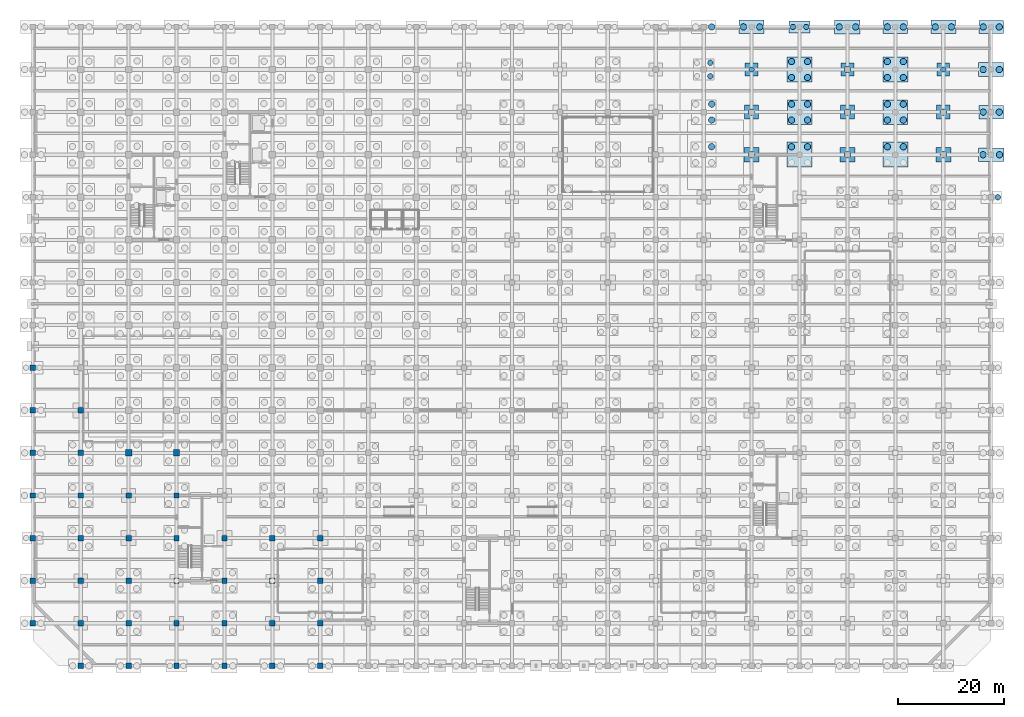
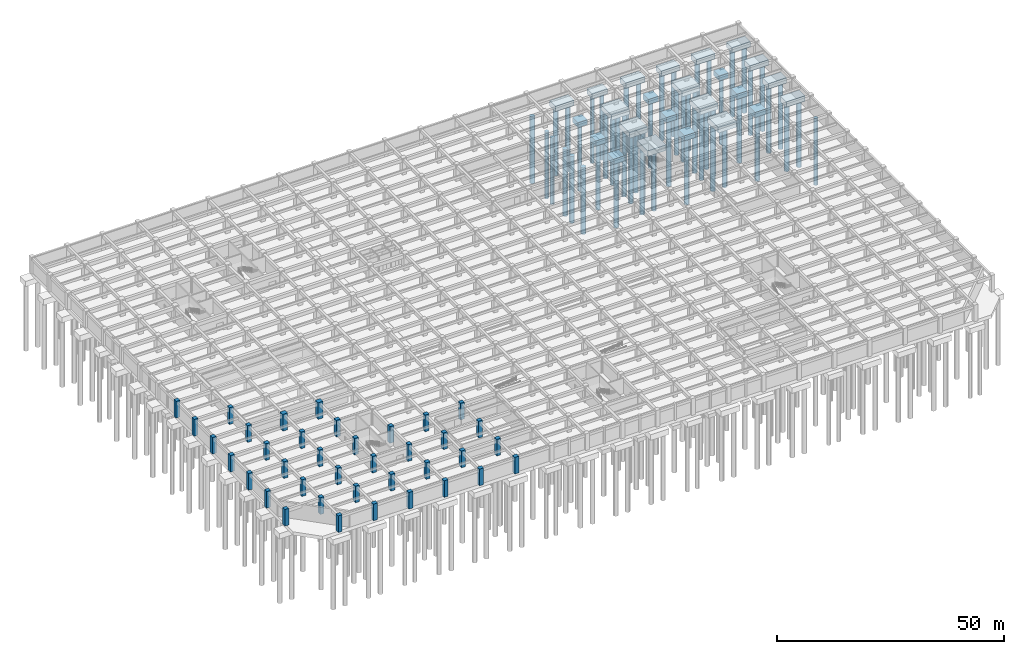
# One storey, part 8 of 31: 54 piles, 38 columns, 24 footings.
"""IFC4 building model written with IfcOpenShell, lengths in metres."""

from ifc_helpers import new_model, si_unit, direction, frame, origin, origin_2d, place, context, subcontext, project, spatial, rectangle, circle, extrude, material, layer, layer_set, material_profile, profile_set, type_object, element, save


model = new_model("IFC4")

# Units and contexts
model_context = context("Model", 3, precision=1e-05, world=origin(), true_north=direction((0.0, 1.0)))
body_context = subcontext(model_context, "Body", "Model", "MODEL_VIEW")
ifc_project = project(units=[si_unit("LENGTHUNIT", "METRE"), si_unit("AREAUNIT", "SQUARE_METRE"), si_unit("VOLUMEUNIT", "CUBIC_METRE"), si_unit("PLANEANGLEUNIT", "RADIAN"), si_unit("MASSUNIT", "GRAM", prefix="KILO")], contexts=[model_context])

# Site, building, storey
site_placement = place(None, origin())
site = spatial("IfcSite", under=ifc_project, at=site_placement, CompositionType="ELEMENT")
building_placement = place(site_placement, origin())
building = spatial("IfcBuilding", under=site, at=building_placement, Name="Zaverband Oceanarium and Marine Research Institute", CompositionType="ELEMENT")
storey_placement = place(building_placement, frame((0.0, 0.0, -9.0)))
storey = spatial("IfcBuildingStorey", under=building, at=storey_placement, Name="B2", CompositionType="ELEMENT", Elevation=-9.0)

# Footings
ifc_material = material(Name="Concrete C50/60", Category="concrete")
ifc_layer_1 = layer(ifc_material, 1.39990234375, Name="Concrete C50/60")
ifc_layer_set_1 = layer_set([ifc_layer_1], Name="Concrete C50/60")
footing_type_1 = type_object("IfcFootingType", Name="PC-2400x2400x1400", PredefinedType="PILE_CAP", material=ifc_layer_set_1)
for number, where, z_axis, x_axis, name in (
    (1, (135.0, 112.0, -2.300048828125), (0.0, 0.0, 1.0), (1.0, 0.0, 0.0), "Reinforced concrete pile cap PC-2400x2400x1400"),
    (2, (171.0, 112.0, -2.300048828125), (0.0, 0.0, 1.0), (1.0, 0.0, 0.0), "Reinforced concrete pile cap PC-2400x2400x1400"),
):
    element("IfcFooting", number, at=place(storey_placement, frame(where, z_axis=z_axis, x_axis=x_axis)), inside=storey, type_object=footing_type_1, Name=name, PredefinedType="PILE_CAP", context=body_context, shape_type="SweptSolid", body=[
        extrude(rectangle(XDim=2.39990234375, YDim=2.39990234375, at=origin_2d()), origin(), (0.0, 0.0, 1.0), 1.39990234375),
    ])
ifc_layer_2 = layer(ifc_material, 1.449951171875, Name="Concrete C50/60")
ifc_layer_set_2 = layer_set([ifc_layer_2], Name="Concrete C50/60")
footing_type_2 = type_object("IfcFootingType", Name="PC-2500x2500x1450", PredefinedType="PILE_CAP", material=ifc_layer_set_2)
footing_1_placement = place(storey_placement, frame((153.0, 112.0, -2.35009765625), z_axis=(0.0, 0.0, 1.0), x_axis=(1.0, 0.0, 0.0)))
element("IfcFooting", 3, at=footing_1_placement, inside=storey, type_object=footing_type_2, Name="Reinforced concrete pile cap PC-2500x2500x1450", PredefinedType="PILE_CAP", context=body_context, shape_type="SweptSolid", body=[
    extrude(rectangle(XDim=2.5, YDim=2.5, at=origin_2d()), origin(), (0.0, 0.0, 1.0), 1.449951171875),
])
ifc_layer_3 = layer(ifc_material, 1.5, Name="Concrete C50/60")
ifc_layer_set_3 = layer_set([ifc_layer_3], Name="Concrete C50/60")
footing_type_3 = type_object("IfcFootingType", Name="PC-2600x2600x1500", PredefinedType="PILE_CAP", material=ifc_layer_set_3)
for number, where, z_axis, x_axis, name in (
    (4, (135.0, 104.0, -2.39990234375), (0.0, 0.0, 1.0), (1.0, 0.0, 0.0), "Reinforced concrete pile cap PC-2600x2600x1500"),
    (5, (153.0, 104.0, -2.39990234375), (0.0, 0.0, 1.0), (1.0, 0.0, 0.0), "Reinforced concrete pile cap PC-2600x2600x1500"),
    (6, (171.0, 104.0, -2.39990234375), (0.0, 0.0, 1.0), (1.0, 0.0, 0.0), "Reinforced concrete pile cap PC-2600x2600x1500"),
):
    element("IfcFooting", number, at=place(storey_placement, frame(where, z_axis=z_axis, x_axis=x_axis)), inside=storey, type_object=footing_type_3, Name=name, PredefinedType="PILE_CAP", context=body_context, shape_type="SweptSolid", body=[
        extrude(rectangle(XDim=2.60009765625, YDim=2.60009765625, at=origin_2d()), origin(), (0.0, 0.0, 1.0), 1.5),
    ])
ifc_layer_4 = layer(ifc_material, 1.5, Name="Concrete C50/60")
ifc_layer_set_4 = layer_set([ifc_layer_4], Name="Concrete C50/60")
footing_type_4 = type_object("IfcFootingType", Name="PC-2800x2800x1500", PredefinedType="PILE_CAP", material=ifc_layer_set_4)
for number, where, z_axis, x_axis, name in (
    (7, (135.0, 96.0, -2.39990234375), (0.0, 0.0, 1.0), (1.0, 0.0, 0.0), "Reinforced concrete pile cap PC-2800x2800x1500"),
    (8, (153.0, 96.0, -2.39990234375), (0.0, 0.0, 1.0), (1.0, 0.0, 0.0), "Reinforced concrete pile cap PC-2800x2800x1500"),
    (9, (171.0, 96.0, -2.39990234375), (0.0, 0.0, 1.0), (1.0, 0.0, 0.0), "Reinforced concrete pile cap PC-2800x2800x1500"),
):
    element("IfcFooting", number, at=place(storey_placement, frame(where, z_axis=z_axis, x_axis=x_axis)), inside=storey, type_object=footing_type_4, Name=name, PredefinedType="PILE_CAP", context=body_context, shape_type="SweptSolid", body=[
        extrude(rectangle(XDim=2.800048828125, YDim=2.800048828125, at=origin_2d()), origin(), (0.0, 0.0, 1.0), 1.5),
    ])
ifc_layer_5 = layer(ifc_material, 1.39990234375, Name="Concrete C50/60")
ifc_layer_set_5 = layer_set([ifc_layer_5], Name="Concrete C50/60")
footing_type_5 = type_object("IfcFootingType", Name="PC-3900x2300x1400", PredefinedType="PILE_CAP", material=ifc_layer_set_5)
footing_2_placement = place(storey_placement, frame((144.0, 120.0, -2.300048828125), z_axis=(0.0, 0.0, 1.0), x_axis=(1.0, 0.0, 0.0)))
element("IfcFooting", 10, at=footing_2_placement, inside=storey, type_object=footing_type_5, Name="Reinforced concrete pile cap PC-3900x2300x1400", PredefinedType="PILE_CAP", context=body_context, shape_type="SweptSolid", body=[
    extrude(rectangle(XDim=3.89990234375, YDim=2.300048828125, at=origin_2d()), origin(), (0.0, 0.0, 1.0), 1.39990234375),
])
ifc_layer_6 = layer(ifc_material, 1.449951171875, Name="Concrete C50/60")
ifc_layer_set_6 = layer_set([ifc_layer_6], Name="Concrete C50/60")
footing_type_6 = type_object("IfcFootingType", Name="PC-4600x2500x1450", PredefinedType="PILE_CAP", material=ifc_layer_set_6)
for number, where, z_axis, x_axis, name in (
    (11, (162.0, 120.0, -2.35009765625), (0.0, 0.0, 1.0), (1.0, 0.0, 0.0), "Reinforced concrete pile cap PC-4600x2500x1450"),
    (12, (180.0, 104.0, -2.35009765625), (0.0, 0.0, 1.0), (1.0, 0.0, 0.0), "Reinforced concrete pile cap PC-4600x2500x1450"),
):
    element("IfcFooting", number, at=place(storey_placement, frame(where, z_axis=z_axis, x_axis=x_axis)), inside=storey, type_object=footing_type_6, Name=name, PredefinedType="PILE_CAP", context=body_context, shape_type="SweptSolid", body=[
        extrude(rectangle(XDim=4.60009765625, YDim=2.5, at=origin_2d()), origin(), (0.0, 0.0, 1.0), 1.449951171875),
    ])
ifc_layer_7 = layer(ifc_material, 1.5, Name="Concrete C50/60")
ifc_layer_set_7 = layer_set([ifc_layer_7], Name="Concrete C50/60")
footing_type_7 = type_object("IfcFootingType", Name="PC-4600x4600x1500", PredefinedType="PILE_CAP", material=ifc_layer_set_7)
for number, where, z_axis, x_axis, name in (
    (13, (144.0, 104.0, -2.39990234375), (0.0, 0.0, 1.0), (1.0, 0.0, 0.0), "Reinforced concrete pile cap PC-4600x4600x1500"),
    (14, (162.0, 104.0, -2.39990234375), (0.0, 0.0, 1.0), (1.0, 0.0, 0.0), "Reinforced concrete pile cap PC-4600x4600x1500"),
):
    element("IfcFooting", number, at=place(storey_placement, frame(where, z_axis=z_axis, x_axis=x_axis)), inside=storey, type_object=footing_type_7, Name=name, PredefinedType="PILE_CAP", context=body_context, shape_type="SweptSolid", body=[
        extrude(rectangle(XDim=4.60009765625, YDim=4.60009765625, at=origin_2d()), origin(), (0.0, 0.0, 1.0), 1.5),
    ])
ifc_layer_8 = layer(ifc_material, 1.39990234375, Name="Concrete C50/60")
ifc_layer_set_8 = layer_set([ifc_layer_8], Name="Concrete C50/60")
footing_type_8 = type_object("IfcFootingType", Name="PC-4650x2450x1400", PredefinedType="PILE_CAP", material=ifc_layer_set_8)
footing_3_placement = place(storey_placement, frame((180.0, 120.0, -2.300048828125), z_axis=(0.0, 0.0, 1.0), x_axis=(1.0, 0.0, 0.0)))
element("IfcFooting", 15, at=footing_3_placement, inside=storey, type_object=footing_type_8, Name="Reinforced concrete pile cap PC-4650x2450x1400", PredefinedType="PILE_CAP", context=body_context, shape_type="SweptSolid", body=[
    extrude(rectangle(XDim=4.64990234375, YDim=2.449951171875, at=origin_2d()), origin(), (0.0, 0.0, 1.0), 1.39990234375),
])
ifc_layer_9 = layer(ifc_material, 1.449951171875, Name="Concrete C50/60")
ifc_layer_set_9 = layer_set([ifc_layer_9], Name="Concrete C50/60")
footing_type_9 = type_object("IfcFootingType", Name="PC-4650x4650x1450", PredefinedType="PILE_CAP", material=ifc_layer_set_9)
for number, where, z_axis, x_axis, name in (
    (16, (144.0, 112.0, -2.35009765625), (0.0, 0.0, 1.0), (1.0, 0.0, 0.0), "Reinforced concrete pile cap PC-4650x4650x1450"),
    (17, (162.0, 112.0, -2.35009765625), (0.0, 0.0, 1.0), (1.0, 0.0, 0.0), "Reinforced concrete pile cap PC-4650x4650x1450"),
):
    element("IfcFooting", number, at=place(storey_placement, frame(where, z_axis=z_axis, x_axis=x_axis)), inside=storey, type_object=footing_type_9, Name=name, PredefinedType="PILE_CAP", context=body_context, shape_type="SweptSolid", body=[
        extrude(rectangle(XDim=4.64990234375, YDim=4.64990234375, at=origin_2d()), origin(), (0.0, 0.0, 1.0), 1.449951171875),
    ])
ifc_layer_10 = layer(ifc_material, 1.5, Name="Concrete C50/60")
ifc_layer_set_10 = layer_set([ifc_layer_10], Name="Concrete C50/60")
footing_type_10 = type_object("IfcFootingType", Name="PC-4700x2550x1500", PredefinedType="PILE_CAP", material=ifc_layer_set_10)
for number, where, z_axis, x_axis, name in (
    (18, (135.0, 120.0, -2.39990234375), (0.0, 0.0, 1.0), (1.0, 0.0, 0.0), "Reinforced concrete pile cap PC-4700x2550x1500"),
    (19, (171.0, 120.0, -2.39990234375), (0.0, 0.0, 1.0), (1.0, 0.0, 0.0), "Reinforced concrete pile cap PC-4700x2550x1500"),
    (20, (180.0, 112.0, -2.39990234375), (0.0, 0.0, 1.0), (1.0, 0.0, 0.0), "Reinforced concrete pile cap PC-4700x2550x1500"),
):
    element("IfcFooting", number, at=place(storey_placement, frame(where, z_axis=z_axis, x_axis=x_axis)), inside=storey, type_object=footing_type_10, Name=name, PredefinedType="PILE_CAP", context=body_context, shape_type="SweptSolid", body=[
        extrude(rectangle(XDim=4.699951171875, YDim=2.550048828125, at=origin_2d()), origin(), (0.0, 0.0, 1.0), 1.5),
    ])
ifc_layer_11 = layer(ifc_material, 1.5, Name="Concrete C50/60")
ifc_layer_set_11 = layer_set([ifc_layer_11], Name="Concrete C50/60")
footing_type_11 = type_object("IfcFootingType", Name="PC-4700x4700x1500", PredefinedType="PILE_CAP", material=ifc_layer_set_11)
for number, where, z_axis, x_axis, name in (
    (21, (144.0, 96.0, -2.39990234375), (0.0, 0.0, 1.0), (1.0, 0.0, 0.0), "Reinforced concrete pile cap PC-4700x4700x1500"),
    (22, (162.0, 96.0, -2.39990234375), (0.0, 0.0, 1.0), (1.0, 0.0, 0.0), "Reinforced concrete pile cap PC-4700x4700x1500"),
):
    element("IfcFooting", number, at=place(storey_placement, frame(where, z_axis=z_axis, x_axis=x_axis)), inside=storey, type_object=footing_type_11, Name=name, PredefinedType="PILE_CAP", context=body_context, shape_type="SweptSolid", body=[
        extrude(rectangle(XDim=4.699951171875, YDim=4.699951171875, at=origin_2d()), origin(), (0.0, 0.0, 1.0), 1.5),
    ])
ifc_layer_12 = layer(ifc_material, 1.5, Name="Concrete C50/60")
ifc_layer_set_12 = layer_set([ifc_layer_12], Name="Concrete C50/60")
footing_type_12 = type_object("IfcFootingType", Name="PC-4800x2600x1500", PredefinedType="PILE_CAP", material=ifc_layer_set_12)
for number, where, z_axis, x_axis, name in (
    (23, (153.0, 120.0, -2.39990234375), (0.0, 0.0, 1.0), (1.0, 0.0, 0.0), "Reinforced concrete pile cap PC-4800x2600x1500"),
    (24, (180.0, 96.0, -2.39990234375), (0.0, 0.0, 1.0), (1.0, 0.0, 0.0), "Reinforced concrete pile cap PC-4800x2600x1500"),
):
    element("IfcFooting", number, at=place(storey_placement, frame(where, z_axis=z_axis, x_axis=x_axis)), inside=storey, type_object=footing_type_12, Name=name, PredefinedType="PILE_CAP", context=body_context, shape_type="SweptSolid", body=[
        extrude(rectangle(XDim=4.800048828125, YDim=2.60009765625, at=origin_2d()), origin(), (0.0, 0.0, 1.0), 1.5),
    ])

# Piles
ifc_material_profile_1 = material_profile(ifc_material, circle(Radius=0.5, at=origin_2d()), Name="BP1000")
ifc_profile_set_1 = profile_set([ifc_material_profile_1], Name="Concrete C50/60")
pile_type_1 = type_object("IfcPileType", Name="PL-BP1000", PredefinedType="BORED", material=ifc_profile_set_1)
for number, where, z_axis, x_axis, name in (
    (25, (127.25, 110.75, -2.35009765625), (0.0, 0.0, -1.0), (1.0, 0.0, 0.0), "Rotary bored cast-in-place pile PL-BP1000"),
    (26, (127.25, 113.25, -2.35009765625), (0.0, 0.0, -1.0), (1.0, 0.0, 0.0), "Rotary bored cast-in-place pile PL-BP1000"),
    (27, (135.0, 112.0, -2.300048828125), (0.0, 0.0, -1.0), (1.0, 0.0, 0.0), "Rotary bored cast-in-place pile PL-BP1000"),
    (28, (142.75, 120.0, -2.300048828125), (0.0, 0.0, -1.0), (1.0, 0.0, 0.0), "Rotary bored cast-in-place pile PL-BP1000"),
    (29, (145.25, 120.0, -2.300048828125), (0.0, 0.0, -1.0), (1.0, 0.0, 0.0), "Rotary bored cast-in-place pile PL-BP1000"),
    (30, (171.0, 112.0, -2.300048828125), (0.0, 0.0, -1.0), (1.0, 0.0, 0.0), "Rotary bored cast-in-place pile PL-BP1000"),
    (31, (181.25, 88.0, -2.300048828125), (0.0, 0.0, -1.0), (1.0, 0.0, 0.0), "Rotary bored cast-in-place pile PL-BP1000"),
):
    element("IfcPile", number, at=place(storey_placement, frame(where, z_axis=z_axis, x_axis=x_axis)), inside=storey, type_object=pile_type_1, Name=name, PredefinedType="BORED", context=body_context, shape_type="SweptSolid", body=[
        extrude(circle(Radius=0.5, at=origin_2d()), origin(), (0.0, 0.0, 1.0), 18.0),
    ])
ifc_material_profile_2 = material_profile(ifc_material, circle(Radius=0.60009765625, at=origin_2d()), Name="BP1200")
ifc_profile_set_2 = profile_set([ifc_material_profile_2], Name="Concrete C50/60")
pile_type_2 = type_object("IfcPileType", Name="PL-BP1200", PredefinedType="BORED", material=ifc_profile_set_2)
for number, where, z_axis, x_axis, name in (
    (32, (127.5, 97.5, -2.39990234375), (0.0, 0.0, -1.0), (1.0, 0.0, 0.0), "Rotary bored cast-in-place pile PL-BP1200"),
    (33, (127.5, 102.5, -2.39990234375), (0.0, 0.0, -1.0), (1.0, 0.0, 0.0), "Rotary bored cast-in-place pile PL-BP1200"),
    (34, (127.5, 105.5, -2.39990234375), (0.0, 0.0, -1.0), (1.0, 0.0, 0.0), "Rotary bored cast-in-place pile PL-BP1200"),
    (35, (127.5, 120.0, -2.35009765625), (0.0, 0.0, -1.0), (1.0, 0.0, 0.0), "Rotary bored cast-in-place pile PL-BP1200"),
    (36, (135.0, 96.0, -2.39990234375), (0.0, 0.0, -1.0), (1.0, 0.0, 0.0), "Rotary bored cast-in-place pile PL-BP1200"),
    (37, (135.0, 104.0, -2.39990234375), (0.0, 0.0, -1.0), (1.0, 0.0, 0.0), "Rotary bored cast-in-place pile PL-BP1200"),
    (38, (133.47509765625, 120.0, -2.39990234375), (0.0, 0.0, -1.0), (1.0, 0.0, 0.0), "Rotary bored cast-in-place pile PL-BP1200"),
    (39, (136.52490234375, 120.0, -2.39990234375), (0.0, 0.0, -1.0), (1.0, 0.0, 0.0), "Rotary bored cast-in-place pile PL-BP1200"),
    (40, (142.5, 97.5, -2.39990234375), (0.0, 0.0, -1.0), (1.0, 0.0, 0.0), "Rotary bored cast-in-place pile PL-BP1200"),
    (41, (145.5, 97.5, -2.39990234375), (0.0, 0.0, -1.0), (1.0, 0.0, 0.0), "Rotary bored cast-in-place pile PL-BP1200"),
    (42, (142.5, 102.5, -2.39990234375), (0.0, 0.0, -1.0), (1.0, 0.0, 0.0), "Rotary bored cast-in-place pile PL-BP1200"),
    (43, (145.5, 102.5, -2.39990234375), (0.0, 0.0, -1.0), (1.0, 0.0, 0.0), "Rotary bored cast-in-place pile PL-BP1200"),
    (44, (142.5, 105.5, -2.39990234375), (0.0, 0.0, -1.0), (1.0, 0.0, 0.0), "Rotary bored cast-in-place pile PL-BP1200"),
    (45, (145.5, 105.5, -2.39990234375), (0.0, 0.0, -1.0), (1.0, 0.0, 0.0), "Rotary bored cast-in-place pile PL-BP1200"),
    (46, (142.5, 110.5, -2.35009765625), (0.0, 0.0, -1.0), (1.0, 0.0, 0.0), "Rotary bored cast-in-place pile PL-BP1200"),
    (47, (145.5, 110.5, -2.35009765625), (0.0, 0.0, -1.0), (1.0, 0.0, 0.0), "Rotary bored cast-in-place pile PL-BP1200"),
    (48, (142.5, 113.5, -2.35009765625), (0.0, 0.0, -1.0), (1.0, 0.0, 0.0), "Rotary bored cast-in-place pile PL-BP1200"),
    (49, (145.5, 113.5, -2.35009765625), (0.0, 0.0, -1.0), (1.0, 0.0, 0.0), "Rotary bored cast-in-place pile PL-BP1200"),
    (50, (153.0, 96.0, -2.39990234375), (0.0, 0.0, -1.0), (1.0, 0.0, 0.0), "Rotary bored cast-in-place pile PL-BP1200"),
    (51, (153.0, 104.0, -2.39990234375), (0.0, 0.0, -1.0), (1.0, 0.0, 0.0), "Rotary bored cast-in-place pile PL-BP1200"),
    (52, (153.0, 112.0, -2.35009765625), (0.0, 0.0, -1.0), (1.0, 0.0, 0.0), "Rotary bored cast-in-place pile PL-BP1200"),
    (53, (151.449951171875, 120.0, -2.39990234375), (0.0, 0.0, -1.0), (1.0, 0.0, 0.0), "Rotary bored cast-in-place pile PL-BP1200"),
    (54, (154.550048828125, 120.0, -2.39990234375), (0.0, 0.0, -1.0), (1.0, 0.0, 0.0), "Rotary bored cast-in-place pile PL-BP1200"),
    (55, (160.5, 97.5, -2.39990234375), (0.0, 0.0, -1.0), (1.0, 0.0, 0.0), "Rotary bored cast-in-place pile PL-BP1200"),
    (56, (163.5, 97.5, -2.39990234375), (0.0, 0.0, -1.0), (1.0, 0.0, 0.0), "Rotary bored cast-in-place pile PL-BP1200"),
    (57, (160.5, 102.5, -2.39990234375), (0.0, 0.0, -1.0), (1.0, 0.0, 0.0), "Rotary bored cast-in-place pile PL-BP1200"),
    (58, (163.5, 102.5, -2.39990234375), (0.0, 0.0, -1.0), (1.0, 0.0, 0.0), "Rotary bored cast-in-place pile PL-BP1200"),
    (59, (160.5, 105.5, -2.39990234375), (0.0, 0.0, -1.0), (1.0, 0.0, 0.0), "Rotary bored cast-in-place pile PL-BP1200"),
    (60, (163.5, 105.5, -2.39990234375), (0.0, 0.0, -1.0), (1.0, 0.0, 0.0), "Rotary bored cast-in-place pile PL-BP1200"),
    (61, (160.5, 110.5, -2.35009765625), (0.0, 0.0, -1.0), (1.0, 0.0, 0.0), "Rotary bored cast-in-place pile PL-BP1200"),
    (62, (163.5, 110.5, -2.35009765625), (0.0, 0.0, -1.0), (1.0, 0.0, 0.0), "Rotary bored cast-in-place pile PL-BP1200"),
    (63, (160.5, 113.5, -2.35009765625), (0.0, 0.0, -1.0), (1.0, 0.0, 0.0), "Rotary bored cast-in-place pile PL-BP1200"),
    (64, (163.5, 113.5, -2.35009765625), (0.0, 0.0, -1.0), (1.0, 0.0, 0.0), "Rotary bored cast-in-place pile PL-BP1200"),
    (65, (160.5, 120.0, -2.35009765625), (0.0, 0.0, -1.0), (1.0, 0.0, 0.0), "Rotary bored cast-in-place pile PL-BP1200"),
    (66, (163.5, 120.0, -2.35009765625), (0.0, 0.0, -1.0), (1.0, 0.0, 0.0), "Rotary bored cast-in-place pile PL-BP1200"),
    (67, (171.0, 96.0, -2.39990234375), (0.0, 0.0, -1.0), (1.0, 0.0, 0.0), "Rotary bored cast-in-place pile PL-BP1200"),
    (68, (171.0, 104.0, -2.39990234375), (0.0, 0.0, -1.0), (1.0, 0.0, 0.0), "Rotary bored cast-in-place pile PL-BP1200"),
    (69, (169.47509765625, 120.0, -2.39990234375), (0.0, 0.0, -1.0), (1.0, 0.0, 0.0), "Rotary bored cast-in-place pile PL-BP1200"),
    (70, (172.52490234375, 120.0, -2.39990234375), (0.0, 0.0, -1.0), (1.0, 0.0, 0.0), "Rotary bored cast-in-place pile PL-BP1200"),
    (71, (178.449951171875, 96.0, -2.39990234375), (0.0, 0.0, -1.0), (1.0, 0.0, 0.0), "Rotary bored cast-in-place pile PL-BP1200"),
    (72, (181.550048828125, 96.0, -2.39990234375), (0.0, 0.0, -1.0), (1.0, 0.0, 0.0), "Rotary bored cast-in-place pile PL-BP1200"),
    (73, (178.5, 104.0, -2.35009765625), (0.0, 0.0, -1.0), (1.0, 0.0, 0.0), "Rotary bored cast-in-place pile PL-BP1200"),
    (74, (181.5, 104.0, -2.35009765625), (0.0, 0.0, -1.0), (1.0, 0.0, 0.0), "Rotary bored cast-in-place pile PL-BP1200"),
    (75, (178.47509765625, 112.0, -2.39990234375), (0.0, 0.0, -1.0), (1.0, 0.0, 0.0), "Rotary bored cast-in-place pile PL-BP1200"),
    (76, (181.52490234375, 112.0, -2.39990234375), (0.0, 0.0, -1.0), (1.0, 0.0, 0.0), "Rotary bored cast-in-place pile PL-BP1200"),
    (77, (178.5, 120.0, -2.300048828125), (0.0, 0.0, -1.0), (1.0, 0.0, 0.0), "Rotary bored cast-in-place pile PL-BP1200"),
    (78, (181.5, 120.0, -2.300048828125), (0.0, 0.0, -1.0), (1.0, 0.0, 0.0), "Rotary bored cast-in-place pile PL-BP1200"),
):
    element("IfcPile", number, at=place(storey_placement, frame(where, z_axis=z_axis, x_axis=x_axis)), inside=storey, type_object=pile_type_2, Name=name, PredefinedType="BORED", context=body_context, shape_type="SweptSolid", body=[
        extrude(circle(Radius=0.60009765625, at=origin_2d()), origin(), (0.0, 0.0, 1.0), 18.0),
    ])

# Columns
ifc_material_profile_3 = material_profile(ifc_material, rectangle(XDim=1.0, YDim=1.0, at=origin_2d()), Name="RC1000x1000")
ifc_profile_set_3 = profile_set([ifc_material_profile_3], Name="Concrete C50/60")
column_type_1 = type_object("IfcColumnType", Name="COL-C1000", PredefinedType="COLUMN", material=ifc_profile_set_3)
for number, where, z_axis, x_axis, name in (
    (79, (0.0, 8.0, 0.0), (0.0, 0.0, 1.0), (1.0, 0.0, 0.0), "Reinforced concrete column RC1000x1000 COL-C1000"),
    (80, (0.0, 16.0, 0.0), (0.0, 0.0, 1.0), (1.0, 0.0, 0.0), "Reinforced concrete column RC1000x1000 COL-C1000"),
    (81, (0.0, 24.0, 0.0), (0.0, 0.0, 1.0), (1.0, 0.0, 0.0), "Reinforced concrete column RC1000x1000 COL-C1000"),
    (82, (0.0, 32.0, 0.0), (0.0, 0.0, 1.0), (1.0, 0.0, 0.0), "Reinforced concrete column RC1000x1000 COL-C1000"),
    (83, (0.0, 40.0, 0.0), (0.0, 0.0, 1.0), (1.0, 0.0, 0.0), "Reinforced concrete column RC1000x1000 COL-C1000"),
    (84, (0.0, 48.0, 0.0), (0.0, 0.0, 1.0), (1.0, 0.0, 0.0), "Reinforced concrete column RC1000x1000 COL-C1000"),
    (85, (0.0, 56.0, 0.0), (0.0, 0.0, 1.0), (1.0, 0.0, 0.0), "Reinforced concrete column RC1000x1000 COL-C1000"),
    (86, (9.0, 0.0, 0.0), (0.0, 0.0, 1.0), (1.0, 0.0, 0.0), "Reinforced concrete column RC1000x1000 COL-C1000"),
    (87, (9.0, 8.0, 0.0), (0.0, 0.0, 1.0), (1.0, 0.0, 0.0), "Reinforced concrete column RC1000x1000 COL-C1000"),
    (88, (9.0, 16.0, 0.0), (0.0, 0.0, 1.0), (1.0, 0.0, 0.0), "Reinforced concrete column RC1000x1000 COL-C1000"),
    (89, (9.0, 24.0, 0.0), (0.0, 0.0, 1.0), (1.0, 0.0, 0.0), "Reinforced concrete column RC1000x1000 COL-C1000"),
    (90, (9.0, 32.0, 0.0), (0.0, 0.0, 1.0), (1.0, 0.0, 0.0), "Reinforced concrete column RC1000x1000 COL-C1000"),
    (91, (9.0, 40.0, 0.0), (0.0, 0.0, 1.0), (1.0, 0.0, 0.0), "Reinforced concrete column RC1000x1000 COL-C1000"),
    (92, (9.0, 48.0, 0.0), (0.0, 0.0, 1.0), (1.0, 0.0, 0.0), "Reinforced concrete column RC1000x1000 COL-C1000"),
    (93, (18.0, 0.0, 0.0), (0.0, 0.0, 1.0), (1.0, 0.0, 0.0), "Reinforced concrete column RC1000x1000 COL-C1000"),
    (94, (18.0, 8.0, 0.0), (0.0, 0.0, 1.0), (1.0, 0.0, 0.0), "Reinforced concrete column RC1000x1000 COL-C1000"),
    (95, (18.0, 16.0, 0.0), (0.0, 0.0, 1.0), (1.0, 0.0, 0.0), "Reinforced concrete column RC1000x1000 COL-C1000"),
    (96, (18.0, 24.0, 0.0), (0.0, 0.0, 1.0), (1.0, 0.0, 0.0), "Reinforced concrete column RC1000x1000 COL-C1000"),
    (97, (18.0, 32.0, 0.0), (0.0, 0.0, 1.0), (1.0, 0.0, 0.0), "Reinforced concrete column RC1000x1000 COL-C1000"),
    (98, (27.0, 0.0, 0.0), (0.0, 0.0, 1.0), (1.0, 0.0, 0.0), "Reinforced concrete column RC1000x1000 COL-C1000"),
    (99, (27.0, 8.0, 0.0), (0.0, 0.0, 1.0), (1.0, 0.0, 0.0), "Reinforced concrete column RC1000x1000 COL-C1000"),
    (100, (27.0, 16.0, 0.0), (0.0, 0.0, 1.0), (1.0, 0.0, 0.0), "Reinforced concrete column RC1000x1000 COL-C1000"),
    (101, (27.0, 24.0, 0.0), (0.0, 0.0, 1.0), (1.0, 0.0, 0.0), "Reinforced concrete column RC1000x1000 COL-C1000"),
    (102, (27.0, 32.0, 0.0), (0.0, 0.0, 1.0), (1.0, 0.0, 0.0), "Reinforced concrete column RC1000x1000 COL-C1000"),
    (103, (36.0, 0.0, 0.0), (0.0, 0.0, 1.0), (1.0, 0.0, 0.0), "Reinforced concrete column RC1000x1000 COL-C1000"),
    (104, (36.0, 8.0, 0.0), (0.0, 0.0, 1.0), (1.0, 0.0, 0.0), "Reinforced concrete column RC1000x1000 COL-C1000"),
    (105, (36.0, 16.0, 0.0), (0.0, 0.0, 1.0), (1.0, 0.0, 0.0), "Reinforced concrete column RC1000x1000 COL-C1000"),
    (106, (36.0, 24.0, 0.0), (0.0, 0.0, 1.0), (1.0, 0.0, 0.0), "Reinforced concrete column RC1000x1000 COL-C1000"),
    (107, (45.0, 0.0, 0.0), (0.0, 0.0, 1.0), (1.0, 0.0, 0.0), "Reinforced concrete column RC1000x1000 COL-C1000"),
    (108, (45.0, 8.0, 0.0), (0.0, 0.0, 1.0), (1.0, 0.0, 0.0), "Reinforced concrete column RC1000x1000 COL-C1000"),
    (109, (45.0, 16.0, 0.0), (0.0, 0.0, 1.0), (1.0, 0.0, 0.0), "Reinforced concrete column RC1000x1000 COL-C1000"),
    (110, (45.0, 24.0, 0.0), (0.0, 0.0, 1.0), (1.0, 0.0, 0.0), "Reinforced concrete column RC1000x1000 COL-C1000"),
    (111, (54.0, 0.0, 0.0), (0.0, 0.0, 1.0), (1.0, 0.0, 0.0), "Reinforced concrete column RC1000x1000 COL-C1000"),
    (112, (54.0, 8.0, 0.0), (0.0, 0.0, 1.0), (1.0, 0.0, 0.0), "Reinforced concrete column RC1000x1000 COL-C1000"),
    (113, (54.0, 16.0, 0.0), (0.0, 0.0, 1.0), (1.0, 0.0, 0.0), "Reinforced concrete column RC1000x1000 COL-C1000"),
    (114, (54.0, 24.0, 0.0), (0.0, 0.0, 1.0), (1.0, 0.0, 0.0), "Reinforced concrete column RC1000x1000 COL-C1000"),
):
    element("IfcColumn", number, at=place(storey_placement, frame(where, z_axis=z_axis, x_axis=x_axis)), inside=storey, type_object=column_type_1, Name=name, PredefinedType="COLUMN", context=body_context, shape_type="SweptSolid", body=[
        extrude(rectangle(XDim=1.0, YDim=1.0, at=origin_2d()), origin(), (0.0, 0.0, 1.0), 4.5),
    ])
ifc_material_profile_4 = material_profile(ifc_material, rectangle(XDim=1.199951171875, YDim=1.199951171875, at=origin_2d()), Name="RC1200x1200")
ifc_profile_set_4 = profile_set([ifc_material_profile_4], Name="Concrete C50/60")
column_type_2 = type_object("IfcColumnType", Name="COL-C1200", PredefinedType="COLUMN", material=ifc_profile_set_4)
for number, where, z_axis, x_axis, name in (
    (115, (18.0, 40.0, 0.0), (0.0, 0.0, 1.0), (1.0, 0.0, 0.0), "Reinforced concrete column RC1200x1200 COL-C1200"),
    (116, (27.0, 40.0, 0.0), (0.0, 0.0, 1.0), (1.0, 0.0, 0.0), "Reinforced concrete column RC1200x1200 COL-C1200"),
):
    element("IfcColumn", number, at=place(storey_placement, frame(where, z_axis=z_axis, x_axis=x_axis)), inside=storey, type_object=column_type_2, Name=name, PredefinedType="COLUMN", context=body_context, shape_type="SweptSolid", body=[
        extrude(rectangle(XDim=1.199951171875, YDim=1.199951171875, at=origin_2d()), origin(), (0.0, 0.0, 1.0), 4.5),
    ])

save(model, "model.ifc")
